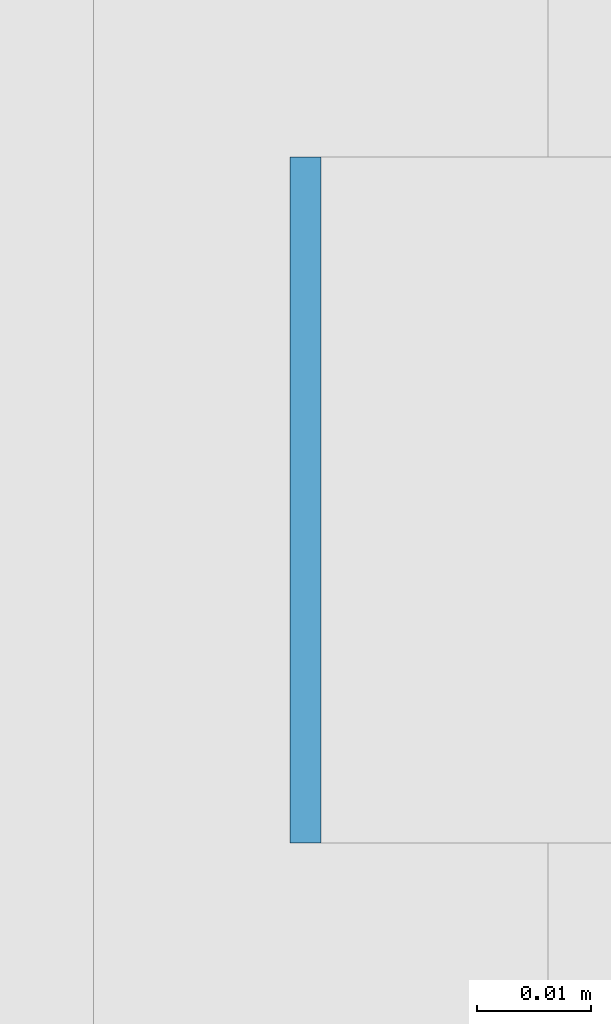
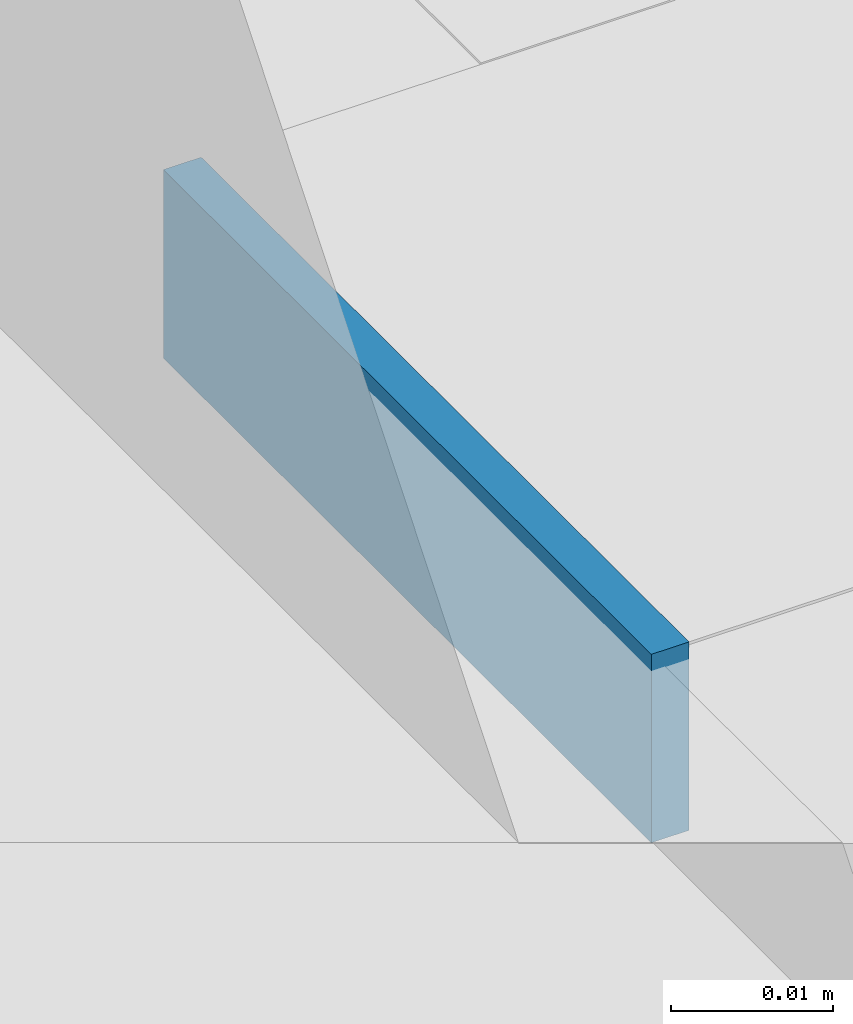
# One storey, part 467 of 646: 1 discrete accessory.
"""IFC4 building model written with IfcOpenShell, lengths in metres."""

import ifcopenshell
import ifcopenshell.guid

model = None  # the IFC model being written
_history = None  # IfcOwnerHistory: only IFC2X3 demands one
_inside = {}  # id of a spatial element -> (the spatial element, [elements in it])
_under = {}  # id of a project, library or spatial element -> (it, [spatial elements below it])
_declared = {}  # id of a project -> (the project, [libraries it declares])
_typed = {}  # id of a type object -> (the type object, [elements of that type])
_made_of = {}  # id of a material, layer set ... -> (it, [elements and type objects made of it])


def new_model(schema):
    """Start an empty IFC model of exactly this schema.

    Asked for "IFC4X3", IfcOpenShell would pick the latest addendum, in which some entities
    have other attributes; the version numbers below select the first issue.
    IFC2X3 requires an IfcOwnerHistory on every rooted entity: one is made here for all.
    """
    global model, _history
    if schema == "IFC4X3":
        model = ifcopenshell.file(schema_version=(4, 3, 0, 0))
    else:
        model = ifcopenshell.file(schema=schema)
    _inside.clear()
    _under.clear()
    _declared.clear()
    _typed.clear()
    _made_of.clear()
    _history = None
    if model.schema == "IFC2X3":
        org = make("IfcOrganization", Name="unknown")
        user = make(
            "IfcPersonAndOrganization",
            ThePerson=make("IfcPerson", FamilyName="unknown"),
            TheOrganization=org,
        )
        app = make(
            "IfcApplication",
            ApplicationDeveloper=org,
            Version="unknown",
            ApplicationFullName="unknown",
            ApplicationIdentifier="unknown",
        )
        _history = make(
            "IfcOwnerHistory",
            OwningUser=user,
            OwningApplication=app,
            ChangeAction="ADDED",
            CreationDate=0,
        )
    return model


def make(cls, **values):
    """One entity of the class cls with the attributes given. An attribute that is None is left unset."""
    return model.create_entity(
        cls, **{name: value for name, value in values.items() if value is not None}
    )


def rooted(cls, **values):
    """An entity with a GlobalId (a new one), such as an element, a storey or a relation."""
    return make(cls, GlobalId=ifcopenshell.guid.new(), OwnerHistory=_history, **values)


def si_unit(unit_type, name, prefix=None):
    """IfcSIUnit, for example si_unit("LENGTHUNIT", "METRE", prefix="MILLI")."""
    return make("IfcSIUnit", UnitType=unit_type, Prefix=prefix, Name=name)


def assignment(units):
    """IfcUnitAssignment: the units of a project."""
    return None if units is None else make("IfcUnitAssignment", Units=units)


def point(xyz):
    """IfcCartesianPoint."""
    return None if xyz is None else make("IfcCartesianPoint", Coordinates=xyz)


def direction(xyz):
    """IfcDirection."""
    return None if xyz is None else make("IfcDirection", DirectionRatios=xyz)


def frame(location, z_axis=None, x_axis=None):
    """IfcAxis2Placement3D, a coordinate frame: its origin and axes. An axis left out is left unset."""
    return make(
        "IfcAxis2Placement3D",
        Location=point(location),
        Axis=direction(z_axis),
        RefDirection=direction(x_axis),
    )


def frame_2d(location, x_axis=None):
    """IfcAxis2Placement2D, a coordinate frame in the plane: its origin and x axis."""
    return make(
        "IfcAxis2Placement2D", Location=point(location), RefDirection=direction(x_axis)
    )


def origin():
    """The frame at (0, 0, 0) with its axes left unset."""
    return frame((0.0, 0.0, 0.0))


def origin_2d():
    """The frame at (0, 0) in the plane with its x axis left unset."""
    return frame_2d((0.0, 0.0))


def place(relative_to, where):
    """IfcLocalPlacement: puts the frame where relative to a parent placement (None: the world)."""
    return make(
        "IfcLocalPlacement", PlacementRelTo=relative_to, RelativePlacement=where
    )


def context(
    kind, dimensions, precision=None, world=None, true_north=None, identifier=None
):
    """IfcGeometricRepresentationContext, for example the 3D "Model" context."""
    return make(
        "IfcGeometricRepresentationContext",
        ContextIdentifier=identifier,
        ContextType=kind,
        CoordinateSpaceDimension=dimensions,
        Precision=precision,
        WorldCoordinateSystem=world,
        TrueNorth=true_north,
    )


def subcontext(parent, identifier, kind, view, scale=None):
    """IfcGeometricRepresentationSubContext, for example "Body" below "Model"."""
    return make(
        "IfcGeometricRepresentationSubContext",
        ContextIdentifier=identifier,
        ContextType=kind,
        ParentContext=parent,
        TargetScale=scale,
        TargetView=view,
    )


def project(units=None, contexts=None):
    """IfcProject with its units and contexts."""
    return rooted(
        "IfcProject",
        Name="project",
        RepresentationContexts=contexts,
        UnitsInContext=assignment(units),
    )


def spatial(cls, under=None, at=None, **own):
    """A site, building, storey or space (cls), placed at a placement, below another one or the project."""
    s = rooted(cls, ObjectPlacement=at, **own)
    if under is not None:
        _under.setdefault(under.id(), (under, []))[1].append(s)
    return s


def profile(cls, at=None, kind="AREA", **sizes):
    """A parametric profile (cls). Its sizes go by their IFC names, for example OverallWidth=200.0."""
    return make(cls, ProfileType=kind, Position=at, **sizes)


def rectangle(**sizes):
    """IfcRectangleProfileDef."""
    return profile("IfcRectangleProfileDef", **sizes)


def extrude(swept, where, along, depth):
    """IfcExtrudedAreaSolid: the profile swept, set in the frame where, extruded along a direction by depth."""
    return make(
        "IfcExtrudedAreaSolid",
        SweptArea=swept,
        Position=where,
        ExtrudedDirection=direction(along),
        Depth=depth,
    )


def shape(context_of_items, identifier, shape_type, items):
    """IfcShapeRepresentation: the items that make up one representation, for example the "Body"."""
    return make(
        "IfcShapeRepresentation",
        ContextOfItems=context_of_items,
        RepresentationIdentifier=identifier,
        RepresentationType=shape_type,
        Items=items,
    )


def material(Name=None, Category=None):
    """IfcMaterial."""
    return make("IfcMaterial", Name=Name, Category=Category)


def made_of(thing, what):
    """Note that an element or type object is made of a material, layer set ...; save() writes the relation."""
    if what is not None:
        _made_of.setdefault(what.id(), (what, []))[1].append(thing)
    return thing


def type_object(cls, material=None, **own):
    """A type object (cls), such as IfcWallType, which elements share."""
    return made_of(rooted(cls, **own), material)


def element(
    cls,
    number,
    at=None,
    inside=None,
    cuts=None,
    type_object=None,
    material=None,
    context=None,
    identifier="Body",
    shape_type=None,
    held_by="IfcProductDefinitionShape",
    body=None,
    shapes=None,
    **own,
):
    """One element of the class cls, such as IfcWall. Its Tag is "e" and its number.

    at: its placement. inside: the storey or other place that contains it. cuts: it is an
    opening in that element (IfcRelVoidsElement). A single representation is given by context,
    identifier, shape_type and body (its items); several are given by shapes. held_by: the class
    of the entity that holds the representations. save() writes the other relations.
    """
    e = rooted(cls, Tag="e%d" % number, ObjectPlacement=at, **own)
    if body is not None:
        shapes = [shape(context, identifier, shape_type, body)]
    if shapes is not None:
        e.Representation = make(held_by, Representations=shapes)
    if inside is not None:
        _inside.setdefault(inside.id(), (inside, []))[1].append(e)
    if cuts is not None:
        rooted(
            "IfcRelVoidsElement", RelatingBuildingElement=cuts, RelatedOpeningElement=e
        )
    if type_object is not None:
        _typed.setdefault(type_object.id(), (type_object, []))[1].append(e)
    return made_of(e, material)


def aggregate(whole, parts):
    """IfcRelAggregates: a whole, such as a stair, and the parts it consists of."""
    return rooted("IfcRelAggregates", RelatingObject=whole, RelatedObjects=parts)


def save(model, path):
    """Write the relations noted so far, then the file.

    IfcRelAggregates (storeys below a building ...), IfcRelContainedInSpatialStructure (elements
    in a storey), IfcRelDefinesByType, IfcRelAssociatesMaterial and IfcRelDeclares: one each for
    every whole, place, type object, material and project.
    """
    for whole, parts in _under.values():
        aggregate(whole, parts)
    for where, things in _inside.values():
        rooted(
            "IfcRelContainedInSpatialStructure",
            RelatedElements=things,
            RelatingStructure=where,
        )
    for kind, things in _typed.values():
        rooted("IfcRelDefinesByType", RelatedObjects=things, RelatingType=kind)
    for what, things in _made_of.values():
        rooted("IfcRelAssociatesMaterial", RelatedObjects=things, RelatingMaterial=what)
    for by, libraries in _declared.values():
        rooted("IfcRelDeclares", RelatingContext=by, RelatedDefinitions=libraries)
    model.write(path)


model = new_model("IFC4")

# Units and contexts
model_context = context("Model", 3, precision=1e-05, world=origin(), true_north=direction((0.0, 1.0)))
body_context = subcontext(model_context, "Body", "Model", "MODEL_VIEW")
ifc_project = project(units=[si_unit("LENGTHUNIT", "METRE"), si_unit("AREAUNIT", "SQUARE_METRE"), si_unit("VOLUMEUNIT", "CUBIC_METRE"), si_unit("PLANEANGLEUNIT", "RADIAN"), si_unit("MASSUNIT", "GRAM", prefix="KILO")], contexts=[model_context])

# Site, building, storey
site_placement = place(None, origin())
site = spatial("IfcSite", under=ifc_project, at=site_placement, CompositionType="ELEMENT")
building_placement = place(site_placement, origin())
building = spatial("IfcBuilding", under=site, at=building_placement, Name="Silverbay Arena", CompositionType="ELEMENT")
storey_placement = place(building_placement, frame((0.0, 0.0, 33.5)))
storey = spatial("IfcBuildingStorey", under=building, at=storey_placement, Name="L05", CompositionType="ELEMENT", Elevation=33.5)

# Discrete accessory
ifc_material = material(Name="Steel S355", Category="steel")
discrete_accessory_type = type_object("IfcDiscreteAccessoryType", Name="Steel bracket plate", PredefinedType="BRACKET", material=ifc_material)
discrete_accessory_placement = place(storey_placement, frame((207.128662109375, 48.857177734375, 12.98583984375), z_axis=(0.0, 0.0, 1.0), x_axis=(1.0, 0.0, 0.0)))
element("IfcDiscreteAccessory", 1, at=discrete_accessory_placement, inside=storey, type_object=discrete_accessory_type, Name="Curtain wall packing plate", PredefinedType="BRACKET", context=body_context, shape_type="SweptSolid", body=[
    extrude(rectangle(XDim=0.002685546875, YDim=0.06005859375, at=origin_2d()), origin(), (0.0, 0.0, 1.0), 0.01416015625),
])

save(model, "model.ifc")
